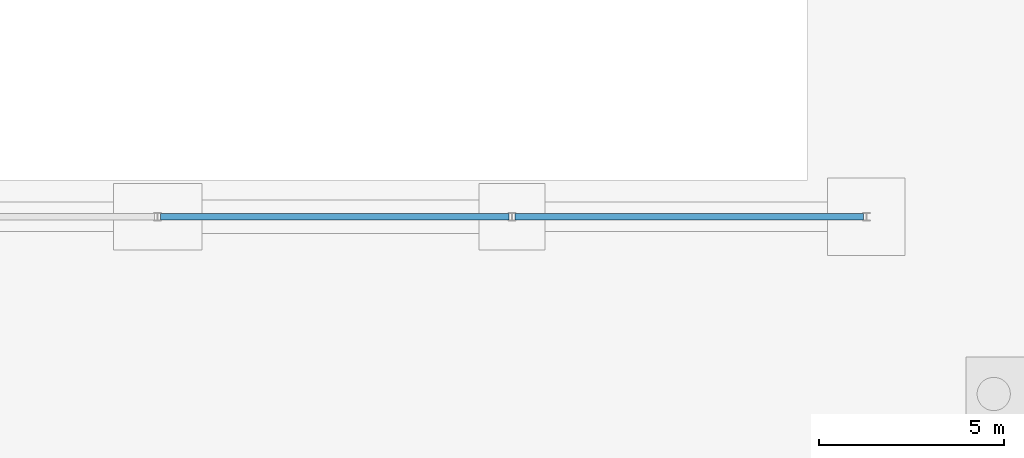
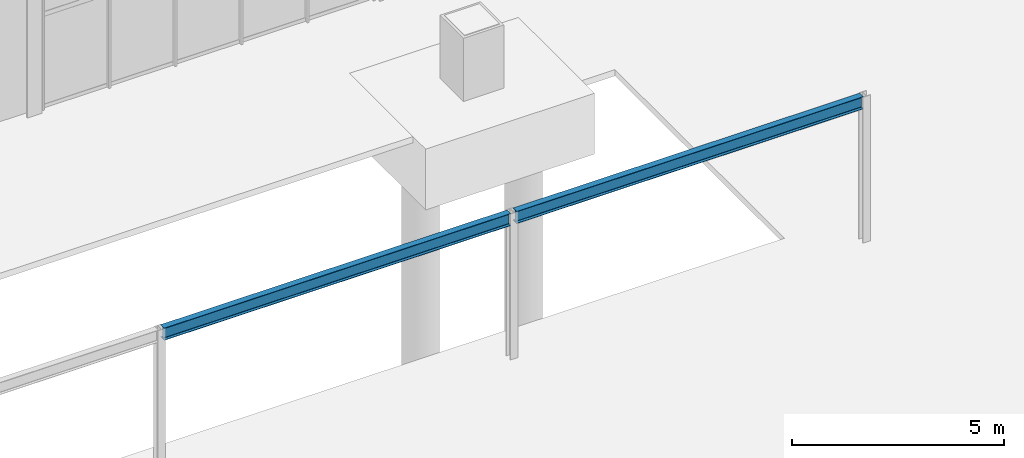
# One storey, part 65 of 142: 2 beams.
"""IFC4 building model written with IfcOpenShell, lengths in metres."""

from ifc_helpers import new_model, si_unit, direction, frame, origin, origin_2d, place, context, subcontext, project, spatial, i_section, extrude, material, material_profile, profile_set, type_object, element, save


model = new_model("IFC4")

# Units and contexts
model_context = context("Model", 3, precision=1e-05, world=origin(), true_north=direction((0.0, 1.0)))
body_context = subcontext(model_context, "Body", "Model", "MODEL_VIEW")
ifc_project = project(units=[si_unit("LENGTHUNIT", "METRE"), si_unit("AREAUNIT", "SQUARE_METRE"), si_unit("VOLUMEUNIT", "CUBIC_METRE"), si_unit("PLANEANGLEUNIT", "RADIAN"), si_unit("MASSUNIT", "GRAM", prefix="KILO")], contexts=[model_context])

# Site, building, storey
site_placement = place(None, origin())
site = spatial("IfcSite", under=ifc_project, at=site_placement, CompositionType="ELEMENT")
building_placement = place(site_placement, origin())
building = spatial("IfcBuilding", under=site, at=building_placement, Name="Coralgate Yard Interchange", CompositionType="ELEMENT")
storey_placement = place(building_placement, origin())
storey = spatial("IfcBuildingStorey", under=building, at=storey_placement, Name="L00", CompositionType="ELEMENT", Elevation=0.0)

# Beams
ifc_material = material(Name="Structural steel S355J2", Category="steel")
ifc_material_profile = material_profile(ifc_material, i_section(OverallWidth=0.17138671875, OverallDepth=0.35498046875, WebThickness=0.00732421875, FlangeThickness=0.011474609375, FilletRadius=0.01025390625, at=origin_2d()), Name="UB 356x171x51")
ifc_profile_set = profile_set([ifc_material_profile], Name="Structural steel S355J2")
beam_type = type_object("IfcBeamType", Name="BM-SB-4", PredefinedType="BEAM", material=ifc_profile_set)
for number, where, z_axis, x_axis, name in (
    (1, (110.47998046875, 24.0, 4.0224609375), (1.0, 0.0, 0.0), (0.0, 1.0, 0.0), "Courtyard colonnade canopy beam 6"),
    (2, (120.080078125, 24.0, 4.0224609375), (1.0, 0.0, 0.0), (0.0, 1.0, 0.0), "Courtyard colonnade canopy beam 7"),
):
    element("IfcBeam", number, at=place(storey_placement, frame(where, z_axis=z_axis, x_axis=x_axis)), inside=storey, type_object=beam_type, Name=name, PredefinedType="BEAM", context=body_context, shape_type="SweptSolid", body=[
        extrude(i_section(OverallWidth=0.17138671875, OverallDepth=0.35498046875, WebThickness=0.00732421875, FlangeThickness=0.011474609375, FilletRadius=0.01025390625, at=origin_2d()), origin(), (0.0, 0.0, 1.0), 9.43994140625),
    ])

save(model, "model.ifc")
